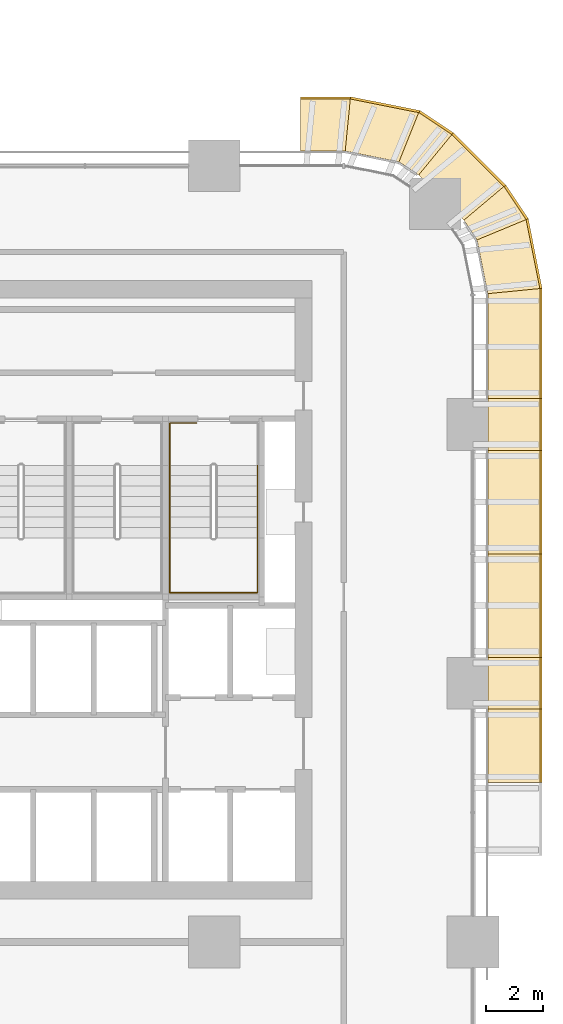
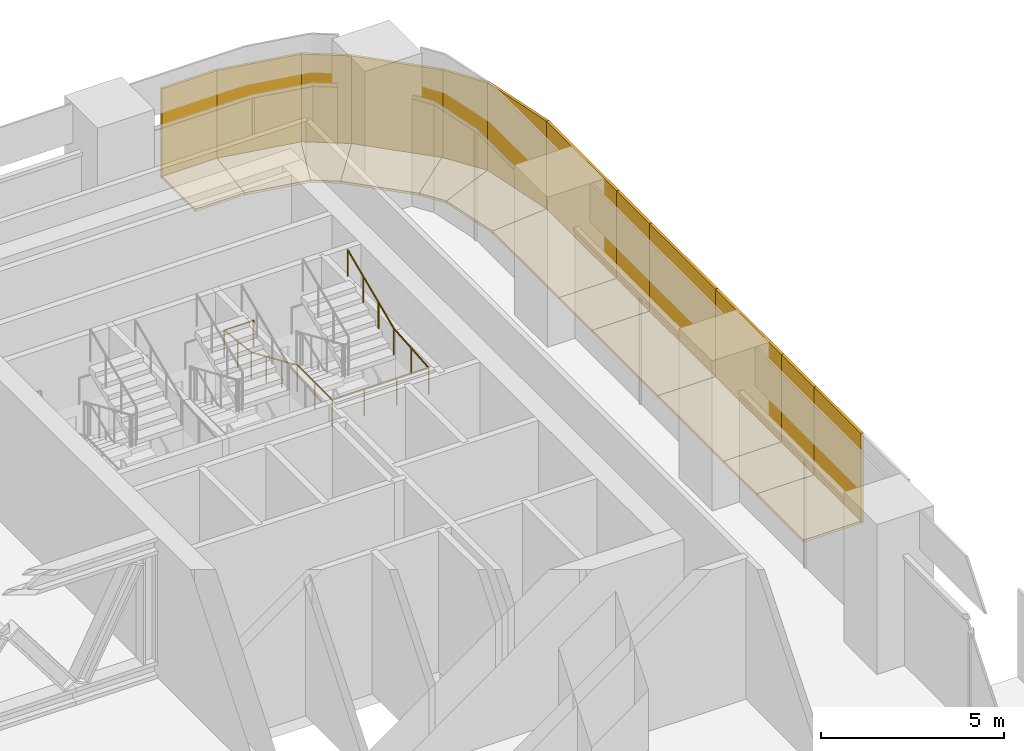
# One storey, part 35 of 35: 24 coverings, 1 railing.
"""IFC4 building model written with IfcOpenShell, lengths in metres."""

from ifc_helpers import new_model, si_unit, direction, frame, origin, origin_2d, place, context, subcontext, project, spatial, polyline, rectangle, circle, outline, extrude, material, layer, layer_set, type_object, element, save


model = new_model("IFC4")

# Units and contexts
model_context = context("Model", 3, precision=1e-05, world=origin(), true_north=direction((0.0, 1.0)))
body_context = subcontext(model_context, "Body", "Model", "MODEL_VIEW")
ifc_project = project(units=[si_unit("LENGTHUNIT", "METRE"), si_unit("AREAUNIT", "SQUARE_METRE"), si_unit("VOLUMEUNIT", "CUBIC_METRE"), si_unit("PLANEANGLEUNIT", "RADIAN"), si_unit("MASSUNIT", "GRAM", prefix="KILO")], contexts=[model_context])

# Site, building, storey
site_placement = place(None, origin())
site = spatial("IfcSite", under=ifc_project, at=site_placement, CompositionType="ELEMENT")
building_placement = place(site_placement, origin())
building = spatial("IfcBuilding", under=site, at=building_placement, Name="Tessera Arch", CompositionType="ELEMENT")
storey_placement = place(building_placement, frame((0.0, 0.0, 26.0)))
storey = spatial("IfcBuildingStorey", under=building, at=storey_placement, Name="L04", CompositionType="ELEMENT", Elevation=26.0)

# Coverings
ifc_material_1 = material(Name="Anodised aluminium pale metal", Category="aluminium")
ifc_layer_1 = layer(ifc_material_1, 0.080078125)
ifc_layer_set_1 = layer_set([ifc_layer_1], Name="Podium cornice fascia pale metal")
covering_type_1 = type_object("IfcCoveringType", Name="Podium cornice fascia pale metal", PredefinedType="CLADDING", material=ifc_layer_set_1)
covering_1_placement = place(storey_placement, frame((56.360107421875, 33.824951171875, 0.0), z_axis=(0.0, 0.0, 1.0), x_axis=(0.0, 1.0, 0.0)))
element("IfcCovering", 1, at=covering_1_placement, inside=storey, type_object=covering_type_1, Name="Podium cornice fascia 11", PredefinedType="CLADDING", context=body_context, shape_type="SweptSolid", body=[
    extrude(rectangle(XDim=2.550048828125, YDim=0.080078125, at=origin_2d()), origin(), (0.0, 0.0, 1.0), 3.0),
])
covering_2_placement = place(storey_placement, frame((56.360107421875, 36.0, 0.0), z_axis=(0.0, 0.0, 1.0), x_axis=(0.0, 1.0, 0.0)))
element("IfcCovering", 2, at=covering_2_placement, inside=storey, type_object=covering_type_1, Name="Podium cornice fascia 12", PredefinedType="CLADDING", context=body_context, shape_type="SweptSolid", body=[
    extrude(rectangle(XDim=1.800048828125, YDim=0.080078125, at=origin_2d()), origin(), (0.0, 0.0, 1.0), 3.0),
])
for number, where, z_axis, x_axis, name in (
    (3, (56.360107421875, 38.699951171875, 0.0), (0.0, 0.0, 1.0), (0.0, 1.0, 0.0), "Podium cornice fascia 13"),
    (4, (56.360107421875, 42.300048828125, 0.0), (0.0, 0.0, 1.0), (0.0, 1.0, 0.0), "Podium cornice fascia 14"),
):
    element("IfcCovering", number, at=place(storey_placement, frame(where, z_axis=z_axis, x_axis=x_axis)), inside=storey, type_object=covering_type_1, Name=name, PredefinedType="CLADDING", context=body_context, shape_type="SweptSolid", body=[
        extrude(rectangle(XDim=3.60009765625, YDim=0.080078125, at=origin_2d()), origin(), (0.0, 0.0, 1.0), 3.0),
    ])
covering_3_placement = place(storey_placement, frame((56.360107421875, 45.0, 0.0), z_axis=(0.0, 0.0, 1.0), x_axis=(0.0, 1.0, 0.0)))
element("IfcCovering", 5, at=covering_3_placement, inside=storey, type_object=covering_type_1, Name="Podium cornice fascia 15", PredefinedType="CLADDING", context=body_context, shape_type="SweptSolid", body=[
    extrude(rectangle(XDim=1.800048828125, YDim=0.080078125, at=origin_2d()), origin(), (0.0, 0.0, 1.0), 3.0),
])
covering_4_placement = place(storey_placement, frame((56.360107421875, 47.818115234375, 0.0), z_axis=(0.0, 0.0, 1.0), x_axis=(0.0, 1.0, 0.0)))
element("IfcCovering", 6, at=covering_4_placement, inside=storey, type_object=covering_type_1, Name="Podium cornice fascia 16", PredefinedType="CLADDING", context=body_context, shape_type="SweptSolid", body=[
    extrude(rectangle(XDim=3.836181640625, YDim=0.080078125, at=origin_2d()), origin(), (0.0, 0.0, 1.0), 3.0),
])
covering_5_placement = place(storey_placement, frame((56.119384765625, 50.943603515625, 0.0), z_axis=(0.0, 0.0, 1.0), x_axis=(-0.195064579403, 0.980790400576, 0.0)))
element("IfcCovering", 7, at=covering_5_placement, inside=storey, type_object=covering_type_1, Name="Podium cornice fascia 17", PredefinedType="CLADDING", context=body_context, shape_type="SweptSolid", body=[
    extrude(rectangle(XDim=2.4697265625, YDim=0.080078125, at=origin_2d()), origin(), (0.0, 0.0, 1.0), 3.0),
])
covering_6_placement = place(storey_placement, frame((55.495849609375, 52.719970703125, 0.0), z_axis=(0.0, 0.0, 1.0), x_axis=(-0.555659318073, 0.831410080669, 0.0)))
element("IfcCovering", 8, at=covering_6_placement, inside=storey, type_object=covering_type_1, Name="Podium cornice fascia 18", PredefinedType="CLADDING", context=body_context, shape_type="SweptSolid", body=[
    extrude(rectangle(XDim=1.38720703125, YDim=0.080078125, at=origin_2d()), origin(), (0.0, 0.0, 1.0), 3.0),
])
covering_7_placement = place(storey_placement, frame((54.19873046875, 54.204345703125, 0.0), z_axis=(0.0, 0.0, 1.0), x_axis=(-0.707106781187, 0.707106781187, 0.0)))
element("IfcCovering", 9, at=covering_7_placement, inside=storey, type_object=covering_type_1, Name="Podium cornice fascia 19", PredefinedType="CLADDING", context=body_context, shape_type="SweptSolid", body=[
    extrude(rectangle(XDim=2.595703125, YDim=0.080078125, at=origin_2d()), origin(), (0.0, 0.0, 1.0), 3.0),
])
covering_8_placement = place(storey_placement, frame((52.7099609375, 55.501953125, 0.0), z_axis=(0.0, 0.0, 1.0), x_axis=(-0.831410080669, 0.555659318073, 0.0)))
element("IfcCovering", 10, at=covering_8_placement, inside=storey, type_object=covering_type_1, Name="Podium cornice fascia 20", PredefinedType="CLADDING", context=body_context, shape_type="SweptSolid", body=[
    extrude(rectangle(XDim=1.38720703125, YDim=0.080078125, at=origin_2d()), origin(), (0.0, 0.0, 1.0), 3.0),
])
covering_9_placement = place(storey_placement, frame((50.93212890625, 56.122314453125, 0.0), z_axis=(0.0, 0.0, 1.0), x_axis=(-0.980790400576, 0.195064579403, 0.0)))
element("IfcCovering", 11, at=covering_9_placement, inside=storey, type_object=covering_type_1, Name="Podium cornice fascia 21", PredefinedType="CLADDING", context=body_context, shape_type="SweptSolid", body=[
    extrude(rectangle(XDim=2.4697265625, YDim=0.080078125, at=origin_2d()), origin(), (0.0, 0.0, 1.0), 3.0),
])
covering_10_placement = place(storey_placement, frame((48.8642578125, 56.360107421875, 0.0), z_axis=(0.0, 0.0, 1.0), x_axis=(-1.0, 0.0, 0.0)))
element("IfcCovering", 12, at=covering_10_placement, inside=storey, type_object=covering_type_1, Name="Podium cornice fascia 22", PredefinedType="CLADDING", context=body_context, shape_type="SweptSolid", body=[
    extrude(rectangle(XDim=1.736328125, YDim=0.080078125, at=origin_2d()), origin(), (0.0, 0.0, 1.0), 3.0),
])
ifc_material_2 = material(Name="Anodised aluminium pale metal", Category="aluminium")
ifc_layer_2 = layer(ifc_material_2, 0.080078125)
ifc_layer_set_2 = layer_set([ifc_layer_2], Name="Podium cornice soffit pale metal")
covering_type_2 = type_object("IfcCoveringType", Name="Podium cornice soffit pale metal", PredefinedType="CLADDING", material=ifc_layer_set_2)
covering_11_placement = place(storey_placement, origin())
element("IfcCovering", 13, at=covering_11_placement, inside=storey, type_object=covering_type_2, Name="Podium cornice soffit 11", PredefinedType="CLADDING", context=body_context, shape_type="SweptSolid", body=[
    extrude(outline(polyline([(56.320068359375, 32.550048828125), (56.320068359375, 35.10009765625), (54.510009765625, 35.10009765625), (54.510009765625, 32.550048828125), (56.320068359375, 32.550048828125)])), origin(), (0.0, 0.0, 1.0), 0.080078125),
])
covering_12_placement = place(storey_placement, origin())
element("IfcCovering", 14, at=covering_12_placement, inside=storey, type_object=covering_type_2, Name="Podium cornice soffit 12", PredefinedType="CLADDING", context=body_context, shape_type="SweptSolid", body=[
    extrude(outline(polyline([(56.320068359375, 35.10009765625), (56.320068359375, 36.89990234375), (54.510009765625, 36.89990234375), (54.510009765625, 35.10009765625), (56.320068359375, 35.10009765625)])), origin(), (0.0, 0.0, 1.0), 0.080078125),
])
covering_13_placement = place(storey_placement, origin())
element("IfcCovering", 15, at=covering_13_placement, inside=storey, type_object=covering_type_2, Name="Podium cornice soffit 13", PredefinedType="CLADDING", context=body_context, shape_type="SweptSolid", body=[
    extrude(outline(polyline([(56.320068359375, 36.89990234375), (56.320068359375, 40.5), (54.510009765625, 40.5), (54.510009765625, 36.89990234375), (56.320068359375, 36.89990234375)])), origin(), (0.0, 0.0, 1.0), 0.080078125),
])
covering_14_placement = place(storey_placement, origin())
element("IfcCovering", 16, at=covering_14_placement, inside=storey, type_object=covering_type_2, Name="Podium cornice soffit 14", PredefinedType="CLADDING", context=body_context, shape_type="SweptSolid", body=[
    extrude(outline(polyline([(56.320068359375, 40.5), (56.320068359375, 44.10009765625), (54.510009765625, 44.10009765625), (54.510009765625, 40.5), (56.320068359375, 40.5)])), origin(), (0.0, 0.0, 1.0), 0.080078125),
])
covering_15_placement = place(storey_placement, origin())
element("IfcCovering", 17, at=covering_15_placement, inside=storey, type_object=covering_type_2, Name="Podium cornice soffit 15", PredefinedType="CLADDING", context=body_context, shape_type="SweptSolid", body=[
    extrude(outline(polyline([(56.320068359375, 44.10009765625), (56.320068359375, 45.89990234375), (54.510009765625, 45.89990234375), (54.510009765625, 44.10009765625), (56.320068359375, 44.10009765625)])), origin(), (0.0, 0.0, 1.0), 0.080078125),
])
covering_16_placement = place(storey_placement, origin())
element("IfcCovering", 18, at=covering_16_placement, inside=storey, type_object=covering_type_2, Name="Podium cornice soffit 16", PredefinedType="CLADDING", context=body_context, shape_type="SweptSolid", body=[
    extrude(outline(polyline([(56.320068359375, 45.89990234375), (56.320068359375, 49.736328125), (54.510009765625, 49.55029296875), (54.510009765625, 45.89990234375), (56.320068359375, 45.89990234375)])), origin(), (0.0, 0.0, 1.0), 0.080078125),
])
covering_17_placement = place(storey_placement, origin())
element("IfcCovering", 19, at=covering_17_placement, inside=storey, type_object=covering_type_2, Name="Podium cornice soffit 17", PredefinedType="CLADDING", context=body_context, shape_type="SweptSolid", body=[
    extrude(outline(polyline([(56.3203125, 49.728515625), (55.838623046875, 52.15087890625), (54.137939453125, 51.421142578125), (54.510009765625, 49.55029296875), (56.3203125, 49.728515625)])), origin(), (0.0, 0.0, 1.0), 0.080078125),
])
covering_18_placement = place(storey_placement, origin())
element("IfcCovering", 20, at=covering_18_placement, inside=storey, type_object=covering_type_2, Name="Podium cornice soffit 18", PredefinedType="CLADDING", context=body_context, shape_type="SweptSolid", body=[
    extrude(outline(polyline([(55.84423828125, 52.1279296875), (55.073486328125, 53.281494140625), (53.679443359375, 52.107177734375), (54.137939453125, 51.421142578125), (55.84423828125, 52.1279296875)])), origin(), (0.0, 0.0, 1.0), 0.080078125),
])
covering_19_placement = place(storey_placement, origin())
element("IfcCovering", 21, at=covering_19_placement, inside=storey, type_object=covering_type_2, Name="Podium cornice soffit 19", PredefinedType="CLADDING", context=body_context, shape_type="SweptSolid", body=[
    extrude(outline(polyline([(55.085693359375, 53.26123046875), (53.250244140625, 55.0966796875), (52.107177734375, 53.679443359375), (53.679443359375, 52.107177734375), (55.085693359375, 53.26123046875)])), origin(), (0.0, 0.0, 1.0), 0.080078125),
])
covering_20_placement = place(storey_placement, origin())
element("IfcCovering", 22, at=covering_20_placement, inside=storey, type_object=covering_type_2, Name="Podium cornice soffit 20", PredefinedType="CLADDING", context=body_context, shape_type="SweptSolid", body=[
    extrude(outline(polyline([(53.26123046875, 55.085693359375), (52.10791015625, 55.8564453125), (51.421142578125, 54.137939453125), (52.107177734375, 53.679443359375), (53.26123046875, 55.085693359375)])), origin(), (0.0, 0.0, 1.0), 0.080078125),
])
covering_21_placement = place(storey_placement, origin())
element("IfcCovering", 23, at=covering_21_placement, inside=storey, type_object=covering_type_2, Name="Podium cornice soffit 21", PredefinedType="CLADDING", context=body_context, shape_type="SweptSolid", body=[
    extrude(outline(polyline([(52.1279296875, 55.84423828125), (49.705810546875, 56.326171875), (49.55029296875, 54.510009765625), (51.421142578125, 54.137939453125), (52.1279296875, 55.84423828125)])), origin(), (0.0, 0.0, 1.0), 0.080078125),
])
covering_22_placement = place(storey_placement, origin())
element("IfcCovering", 24, at=covering_22_placement, inside=storey, type_object=covering_type_2, Name="Podium cornice soffit 22", PredefinedType="CLADDING", context=body_context, shape_type="SweptSolid", body=[
    extrude(outline(polyline([(49.728515625, 56.3203125), (47.9921875, 56.3203125), (48.0, 54.510009765625), (49.55029296875, 54.510009765625), (49.728515625, 56.3203125)])), origin(), (0.0, 0.0, 1.0), 0.080078125),
])

# Railing
ifc_material_3 = material(Name="Painted steel handrail", Category="steel")
railing_type = type_object("IfcRailingType", Name="Stair handrail 900", PredefinedType="HANDRAIL", material=ifc_material_3)
railing_placement = place(storey_placement, frame((44.375, 45.050048828125, 2.5)))
element("IfcRailing", 25, at=railing_placement, inside=storey, type_object=railing_type, Name="L04 S1c stair handrail 2", PredefinedType="HANDRAIL", context=body_context, shape_type="SweptSolid", body=[
    extrude(circle(Radius=0.02392578125, at=origin_2d()), frame((0.00390625, 0.0, 0.8759765625), z_axis=(-1.0, 0.0, 0.0), x_axis=(0.0, -1.0, 0.0)), (0.0, 0.0, 1.0), 0.93310546875),
    extrude(circle(Radius=0.02392578125, at=origin_2d()), frame((-0.925048828125, 0.00390625, 0.87548828125), z_axis=(0.0, -0.994398150376, 0.105699188879), x_axis=(1.0, 0.0, 0.0)), (0.0, 0.0, 1.0), 1.486328125),
    extrude(circle(Radius=0.02392578125, at=origin_2d()), frame((-0.925048828125, -1.46630859375, 1.030517578125), z_axis=(0.0, -0.917324189904, 0.398141093855), x_axis=(1.0, 0.0, 0.0)), (0.0, 0.0, 1.0), 2.755126953125),
    extrude(circle(Radius=0.02392578125, at=origin_2d()), frame((-0.925048828125, -3.986083984375, 2.1259765625), z_axis=(0.0, -1.0, 0.0), x_axis=(1.0, 0.0, 0.0)), (0.0, 0.0, 1.0), 1.918212890625),
    extrude(circle(Radius=0.02392578125, at=origin_2d()), frame((-0.928955078125, -5.900146484375, 2.1259765625), z_axis=(1.0, 0.0, 0.0), x_axis=(0.0, 1.0, 0.0)), (0.0, 0.0, 1.0), 3.05810546875),
    extrude(circle(Radius=0.02392578125, at=origin_2d()), frame((2.125, -5.904052734375, 2.12548828125), z_axis=(0.0, 0.996671109807, 0.081527289146), x_axis=(-1.0, 0.0, 0.0)), (0.0, 0.0, 1.0), 1.924560546875),
    extrude(circle(Radius=0.02392578125, at=origin_2d()), frame((2.125, -3.99365234375, 2.280517578125), z_axis=(0.0, 0.917324189904, 0.398141093855), x_axis=(-1.0, 0.0, 0.0)), (0.0, 0.0, 1.0), 2.755126953125),
    extrude(circle(Radius=0.02099609375, at=origin_2d()), origin(), (0.0, 0.0, 1.0), 0.86376953125),
    extrude(circle(Radius=0.02099609375, at=origin_2d()), frame((-0.925048828125, 0.0, 0.0)), (0.0, 0.0, 1.0), 0.86376953125),
    extrude(circle(Radius=0.02099609375, at=origin_2d()), frame((-0.925048828125, -0.73486328125, 0.078125)), (0.0, 0.0, 1.0), 0.86376953125),
    extrude(circle(Radius=0.02099609375, at=origin_2d()), frame((-0.925048828125, -1.469970703125, 0.15625)), (0.0, 0.0, 1.0), 0.86376953125),
    extrude(circle(Radius=0.02099609375, at=origin_2d()), frame((-0.925048828125, -2.31005859375, 0.520751953125)), (0.0, 0.0, 1.0), 0.86376953125),
    extrude(circle(Radius=0.02099609375, at=origin_2d()), frame((-0.925048828125, -3.14990234375, 0.885498046875)), (0.0, 0.0, 1.0), 0.86376953125),
    extrude(circle(Radius=0.02099609375, at=origin_2d()), frame((-0.925048828125, -3.989990234375, 1.25)), (0.0, 0.0, 1.0), 0.86376953125),
    extrude(circle(Radius=0.02099609375, at=origin_2d()), frame((-0.925048828125, -4.945068359375, 1.25)), (0.0, 0.0, 1.0), 0.86376953125),
    extrude(circle(Radius=0.02099609375, at=origin_2d()), frame((-0.925048828125, -5.900146484375, 1.25)), (0.0, 0.0, 1.0), 0.86376953125),
    extrude(circle(Radius=0.02099609375, at=origin_2d()), frame((0.091552734375, -5.900146484375, 1.25)), (0.0, 0.0, 1.0), 0.86376953125),
    extrude(circle(Radius=0.02099609375, at=origin_2d()), frame((1.1083984375, -5.900146484375, 1.25)), (0.0, 0.0, 1.0), 0.86376953125),
    extrude(circle(Radius=0.02099609375, at=origin_2d()), frame((2.125, -5.900146484375, 1.25)), (0.0, 0.0, 1.0), 0.86376953125),
    extrude(circle(Radius=0.02099609375, at=origin_2d()), frame((2.125, -4.945068359375, 1.328125)), (0.0, 0.0, 1.0), 0.86376953125),
    extrude(circle(Radius=0.02099609375, at=origin_2d()), frame((2.125, -3.989990234375, 1.40625)), (0.0, 0.0, 1.0), 0.86376953125),
    extrude(circle(Radius=0.02099609375, at=origin_2d()), frame((2.125, -3.14990234375, 1.770751953125)), (0.0, 0.0, 1.0), 0.86376953125),
    extrude(circle(Radius=0.02099609375, at=origin_2d()), frame((2.125, -2.31005859375, 2.135498046875)), (0.0, 0.0, 1.0), 0.86376953125),
    extrude(circle(Radius=0.02099609375, at=origin_2d()), frame((2.125, -1.469970703125, 2.5)), (0.0, 0.0, 1.0), 0.86376953125),
])

save(model, "model.ifc")
